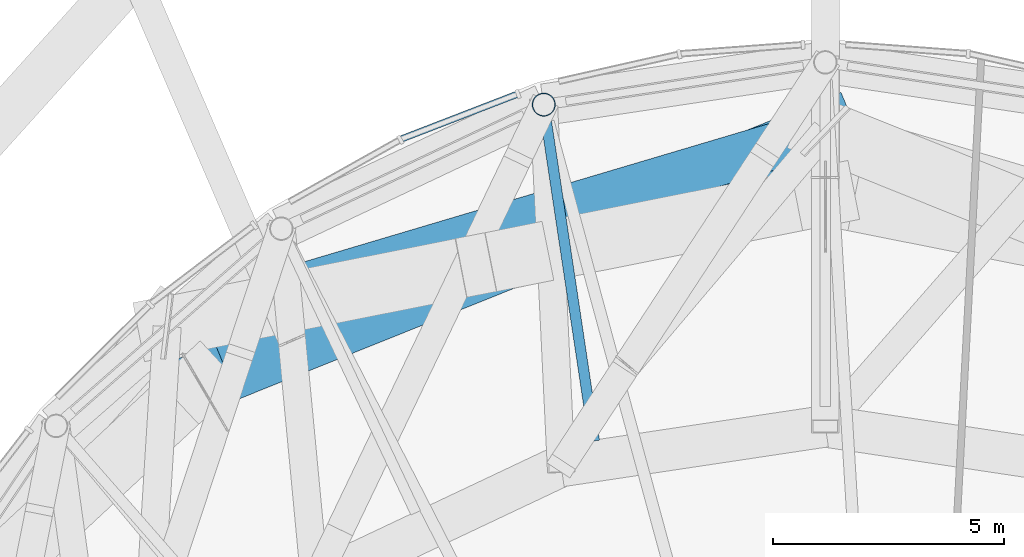
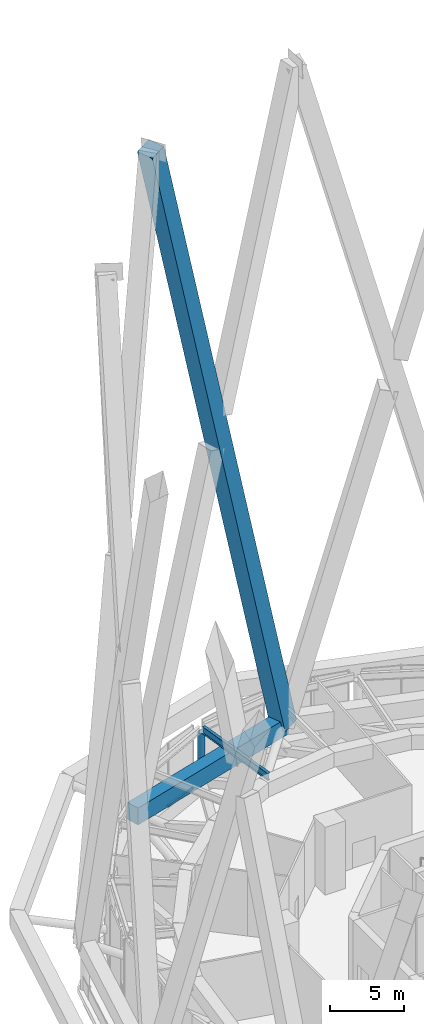
# One storey, part 23 of 48: 4 members, 1 beam, 1 element without a shape of its own.
"""IFC4 building model written with IfcOpenShell, lengths in metres."""

import ifcopenshell
import ifcopenshell.guid

model = None  # the IFC model being written
_history = None  # IfcOwnerHistory: only IFC2X3 demands one
_inside = {}  # id of a spatial element -> (the spatial element, [elements in it])
_under = {}  # id of a project, library or spatial element -> (it, [spatial elements below it])
_declared = {}  # id of a project -> (the project, [libraries it declares])
_typed = {}  # id of a type object -> (the type object, [elements of that type])
_made_of = {}  # id of a material, layer set ... -> (it, [elements and type objects made of it])


def new_model(schema):
    """Start an empty IFC model of exactly this schema.

    Asked for "IFC4X3", IfcOpenShell would pick the latest addendum, in which some entities
    have other attributes; the version numbers below select the first issue.
    IFC2X3 requires an IfcOwnerHistory on every rooted entity: one is made here for all.
    """
    global model, _history
    if schema == "IFC4X3":
        model = ifcopenshell.file(schema_version=(4, 3, 0, 0))
    else:
        model = ifcopenshell.file(schema=schema)
    _inside.clear()
    _under.clear()
    _declared.clear()
    _typed.clear()
    _made_of.clear()
    _history = None
    if model.schema == "IFC2X3":
        org = make("IfcOrganization", Name="unknown")
        user = make(
            "IfcPersonAndOrganization",
            ThePerson=make("IfcPerson", FamilyName="unknown"),
            TheOrganization=org,
        )
        app = make(
            "IfcApplication",
            ApplicationDeveloper=org,
            Version="unknown",
            ApplicationFullName="unknown",
            ApplicationIdentifier="unknown",
        )
        _history = make(
            "IfcOwnerHistory",
            OwningUser=user,
            OwningApplication=app,
            ChangeAction="ADDED",
            CreationDate=0,
        )
    return model


def make(cls, **values):
    """One entity of the class cls with the attributes given. An attribute that is None is left unset."""
    return model.create_entity(
        cls, **{name: value for name, value in values.items() if value is not None}
    )


def rooted(cls, **values):
    """An entity with a GlobalId (a new one), such as an element, a storey or a relation."""
    return make(cls, GlobalId=ifcopenshell.guid.new(), OwnerHistory=_history, **values)


def si_unit(unit_type, name, prefix=None):
    """IfcSIUnit, for example si_unit("LENGTHUNIT", "METRE", prefix="MILLI")."""
    return make("IfcSIUnit", UnitType=unit_type, Prefix=prefix, Name=name)


def assignment(units):
    """IfcUnitAssignment: the units of a project."""
    return None if units is None else make("IfcUnitAssignment", Units=units)


def point(xyz):
    """IfcCartesianPoint."""
    return None if xyz is None else make("IfcCartesianPoint", Coordinates=xyz)


def direction(xyz):
    """IfcDirection."""
    return None if xyz is None else make("IfcDirection", DirectionRatios=xyz)


def frame(location, z_axis=None, x_axis=None):
    """IfcAxis2Placement3D, a coordinate frame: its origin and axes. An axis left out is left unset."""
    return make(
        "IfcAxis2Placement3D",
        Location=point(location),
        Axis=direction(z_axis),
        RefDirection=direction(x_axis),
    )


def frame_2d(location, x_axis=None):
    """IfcAxis2Placement2D, a coordinate frame in the plane: its origin and x axis."""
    return make(
        "IfcAxis2Placement2D", Location=point(location), RefDirection=direction(x_axis)
    )


def origin():
    """The frame at (0, 0, 0) with its axes left unset."""
    return frame((0.0, 0.0, 0.0))


def origin_2d():
    """The frame at (0, 0) in the plane with its x axis left unset."""
    return frame_2d((0.0, 0.0))


def place(relative_to, where):
    """IfcLocalPlacement: puts the frame where relative to a parent placement (None: the world)."""
    return make(
        "IfcLocalPlacement", PlacementRelTo=relative_to, RelativePlacement=where
    )


def context(
    kind, dimensions, precision=None, world=None, true_north=None, identifier=None
):
    """IfcGeometricRepresentationContext, for example the 3D "Model" context."""
    return make(
        "IfcGeometricRepresentationContext",
        ContextIdentifier=identifier,
        ContextType=kind,
        CoordinateSpaceDimension=dimensions,
        Precision=precision,
        WorldCoordinateSystem=world,
        TrueNorth=true_north,
    )


def subcontext(parent, identifier, kind, view, scale=None):
    """IfcGeometricRepresentationSubContext, for example "Body" below "Model"."""
    return make(
        "IfcGeometricRepresentationSubContext",
        ContextIdentifier=identifier,
        ContextType=kind,
        ParentContext=parent,
        TargetScale=scale,
        TargetView=view,
    )


def project(units=None, contexts=None):
    """IfcProject with its units and contexts."""
    return rooted(
        "IfcProject",
        Name="project",
        RepresentationContexts=contexts,
        UnitsInContext=assignment(units),
    )


def spatial(cls, under=None, at=None, **own):
    """A site, building, storey or space (cls), placed at a placement, below another one or the project."""
    s = rooted(cls, ObjectPlacement=at, **own)
    if under is not None:
        _under.setdefault(under.id(), (under, []))[1].append(s)
    return s


def profile(cls, at=None, kind="AREA", **sizes):
    """A parametric profile (cls). Its sizes go by their IFC names, for example OverallWidth=200.0."""
    return make(cls, ProfileType=kind, Position=at, **sizes)


def rectangle(**sizes):
    """IfcRectangleProfileDef."""
    return profile("IfcRectangleProfileDef", **sizes)


def hollow_circle(**sizes):
    """IfcCircleHollowProfileDef."""
    return profile("IfcCircleHollowProfileDef", **sizes)


def i_section(**sizes):
    """IfcIShapeProfileDef."""
    return profile("IfcIShapeProfileDef", **sizes)


def extrude(swept, where, along, depth):
    """IfcExtrudedAreaSolid: the profile swept, set in the frame where, extruded along a direction by depth."""
    return make(
        "IfcExtrudedAreaSolid",
        SweptArea=swept,
        Position=where,
        ExtrudedDirection=direction(along),
        Depth=depth,
    )


def shape(context_of_items, identifier, shape_type, items):
    """IfcShapeRepresentation: the items that make up one representation, for example the "Body"."""
    return make(
        "IfcShapeRepresentation",
        ContextOfItems=context_of_items,
        RepresentationIdentifier=identifier,
        RepresentationType=shape_type,
        Items=items,
    )


def material(Name=None, Category=None):
    """IfcMaterial."""
    return make("IfcMaterial", Name=Name, Category=Category)


def layer(
    of_material, thickness, ventilated=None, Name=None, Category=None, Priority=None
):
    """IfcMaterialLayer: one layer of a wall or slab, of a material (None: an air gap)."""
    return make(
        "IfcMaterialLayer",
        Material=of_material,
        LayerThickness=thickness,
        IsVentilated=ventilated,
        Name=Name,
        Category=Category,
        Priority=Priority,
    )


def layer_set(layers, Name=None):
    """IfcMaterialLayerSet."""
    return make("IfcMaterialLayerSet", MaterialLayers=layers, LayerSetName=Name)


def material_profile(
    of_material, cross_section, Name=None, Category=None, Priority=None
):
    """IfcMaterialProfile: a cross section and its material."""
    return make(
        "IfcMaterialProfile",
        Name=Name,
        Material=of_material,
        Profile=cross_section,
        Priority=Priority,
        Category=Category,
    )


def profile_set(profiles, Name=None, composite=None):
    """IfcMaterialProfileSet."""
    return make(
        "IfcMaterialProfileSet",
        Name=Name,
        MaterialProfiles=profiles,
        CompositeProfile=composite,
    )


def made_of(thing, what):
    """Note that an element or type object is made of a material, layer set ...; save() writes the relation."""
    if what is not None:
        _made_of.setdefault(what.id(), (what, []))[1].append(thing)
    return thing


def type_object(cls, material=None, **own):
    """A type object (cls), such as IfcWallType, which elements share."""
    return made_of(rooted(cls, **own), material)


def element(
    cls,
    number,
    at=None,
    inside=None,
    cuts=None,
    type_object=None,
    material=None,
    context=None,
    identifier="Body",
    shape_type=None,
    held_by="IfcProductDefinitionShape",
    body=None,
    shapes=None,
    **own,
):
    """One element of the class cls, such as IfcWall. Its Tag is "e" and its number.

    at: its placement. inside: the storey or other place that contains it. cuts: it is an
    opening in that element (IfcRelVoidsElement). A single representation is given by context,
    identifier, shape_type and body (its items); several are given by shapes. held_by: the class
    of the entity that holds the representations. save() writes the other relations.
    """
    e = rooted(cls, Tag="e%d" % number, ObjectPlacement=at, **own)
    if body is not None:
        shapes = [shape(context, identifier, shape_type, body)]
    if shapes is not None:
        e.Representation = make(held_by, Representations=shapes)
    if inside is not None:
        _inside.setdefault(inside.id(), (inside, []))[1].append(e)
    if cuts is not None:
        rooted(
            "IfcRelVoidsElement", RelatingBuildingElement=cuts, RelatedOpeningElement=e
        )
    if type_object is not None:
        _typed.setdefault(type_object.id(), (type_object, []))[1].append(e)
    return made_of(e, material)


def aggregate(whole, parts):
    """IfcRelAggregates: a whole, such as a stair, and the parts it consists of."""
    return rooted("IfcRelAggregates", RelatingObject=whole, RelatedObjects=parts)


def save(model, path):
    """Write the relations noted so far, then the file.

    IfcRelAggregates (storeys below a building ...), IfcRelContainedInSpatialStructure (elements
    in a storey), IfcRelDefinesByType, IfcRelAssociatesMaterial and IfcRelDeclares: one each for
    every whole, place, type object, material and project.
    """
    for whole, parts in _under.values():
        aggregate(whole, parts)
    for where, things in _inside.values():
        rooted(
            "IfcRelContainedInSpatialStructure",
            RelatedElements=things,
            RelatingStructure=where,
        )
    for kind, things in _typed.values():
        rooted("IfcRelDefinesByType", RelatedObjects=things, RelatingType=kind)
    for what, things in _made_of.values():
        rooted("IfcRelAssociatesMaterial", RelatedObjects=things, RelatingMaterial=what)
    for by, libraries in _declared.values():
        rooted("IfcRelDeclares", RelatingContext=by, RelatedDefinitions=libraries)
    model.write(path)


model = new_model("IFC4")

# Units and contexts
model_context = context("Model", 3, precision=1e-05, world=origin(), true_north=direction((0.0, 1.0)))
body_context = subcontext(model_context, "Body", "Model", "MODEL_VIEW")
ifc_project = project(units=[si_unit("LENGTHUNIT", "METRE"), si_unit("AREAUNIT", "SQUARE_METRE"), si_unit("VOLUMEUNIT", "CUBIC_METRE"), si_unit("PLANEANGLEUNIT", "RADIAN"), si_unit("MASSUNIT", "GRAM", prefix="KILO")], contexts=[model_context])

# Site, building, storey
site_placement = place(None, origin())
site = spatial("IfcSite", under=ifc_project, at=site_placement, CompositionType="ELEMENT")
building_placement = place(site_placement, origin())
building = spatial("IfcBuilding", under=site, at=building_placement, Name="Nagisa Residences", CompositionType="ELEMENT")
storey_placement = place(building_placement, frame((0.0, 0.0, 252.89990234375)))
storey = spatial("IfcBuildingStorey", under=building, at=storey_placement, Name="L64", CompositionType="ELEMENT", Elevation=252.89990234375)

# Curtain wall, member
ifc_material_1 = material(Name="Aluminium curtain wall system", Category="aluminium")
ifc_layer = layer(ifc_material_1, 0.159912109375)
ifc_layer_set = layer_set([ifc_layer], Name="CW2 CURTAIN WALL")
curtain_wall_type = type_object("IfcCurtainWallType", Name="CW2 CURTAIN WALL", PredefinedType="NOTDEFINED", material=ifc_layer_set)
curtain_wall_placement = place(storey_placement, origin())
curtain_wall = element("IfcCurtainWall", 1, at=curtain_wall_placement, inside=storey, type_object=curtain_wall_type, Name="cw:CW2:L64:14", PredefinedType="NOTDEFINED")
ifc_material_2 = material(Name="Aluminium", Category="aluminium")
ifc_material_profile_1 = material_profile(ifc_material_2, rectangle(XDim=0.139892578125, YDim=0.179931640625, at=origin_2d()), Name="CW2 TRANSOM 140x180")
ifc_profile_set_1 = profile_set([ifc_material_profile_1], Name="Aluminium")
member_type_1 = type_object("IfcMemberType", Name="CW2 TRANSOM 140x180", PredefinedType="USERDEFINED", material=ifc_profile_set_1)
member_1_placement = place(storey_placement, frame((-8.420654296875, 29.337646484375, 0.090087890625), z_axis=(-0.932831413122, -0.360313134221, 0.0), x_axis=(0.360313134221, -0.932831413122, 0.0)))
member_1 = element("IfcMember", 2, at=member_1_placement, type_object=member_type_1, Name="CW2 transom", ObjectType="TRANSOM", PredefinedType="USERDEFINED", context=body_context, shape_type="SweptSolid", body=[
    extrude(rectangle(XDim=0.139892578125, YDim=0.179931640625, at=origin_2d()), origin(), (0.0, 0.0, 1.0), 2.746337890625),
])
aggregate(curtain_wall, [member_1])

# Members
ifc_material_3 = material(Name="Concrete C80", Category="concrete")
ifc_material_profile_2 = material_profile(ifc_material_3, rectangle(XDim=1.300048828125, YDim=1.300048828125, at=origin_2d()), Name="C80 1300x1300")
ifc_profile_set_2 = profile_set([ifc_material_profile_2], Name="Concrete C80")
member_type_2 = type_object("IfcMemberType", Name="Cage diagonal 6 C80 1300x1300", PredefinedType="BRACE", material=ifc_profile_set_2)
member_2_placement = place(storey_placement, frame((-1.800048828125, 28.522216796875, 3.7001953125), z_axis=(-0.235873952376, -0.094826068247, 0.967146056897), x_axis=(0.373005890472, -0.927828974366, 0.0)))
element("IfcMember", 3, at=member_2_placement, inside=storey, type_object=member_type_2, Name="mem:L64:cg6d007", PredefinedType="BRACE", context=body_context, shape_type="SweptSolid", body=[
    extrude(rectangle(XDim=1.300048828125, YDim=1.300048828125, at=origin_2d()), origin(), (0.0, 0.0, 1.0), 57.488525390625),
])
ifc_material_4 = material(Name="Concrete C80", Category="concrete")
ifc_material_profile_3 = material_profile(ifc_material_4, rectangle(XDim=1.0, YDim=1.39990234375, at=origin_2d()), Name="C80 1000x1400")
ifc_profile_set_3 = profile_set([ifc_material_profile_3], Name="Concrete C80")
member_type_3 = type_object("IfcMemberType", Name="Cage ring 6 C80 1000x1400", PredefinedType="CHORD", material=ifc_profile_set_3)
member_3_placement = place(storey_placement, frame((-1.800048828125, 28.522216796875, 3.7001953125), z_axis=(-0.958549076589, -0.28492747809, 0.0), x_axis=(0.28492747809, -0.958549076589, 0.0)))
element("IfcMember", 4, at=member_3_placement, inside=storey, type_object=member_type_3, Name="beam:L64:cg6r004", PredefinedType="CHORD", context=body_context, shape_type="SweptSolid", body=[
    extrude(rectangle(XDim=1.0, YDim=1.39990234375, at=origin_2d()), origin(), (0.0, 0.0, 1.0), 14.876708984375),
])
ifc_material_5 = material(Name="Steel ASTM A572 Gr 65", Category="steel")
ifc_material_profile_4 = material_profile(ifc_material_5, hollow_circle(Radius=0.25390625, WallThickness=0.02001953125, at=origin_2d()), Name="CHS 508x20")
ifc_profile_set_4 = profile_set([ifc_material_profile_4], Name="Steel ASTM A572 Gr 65")
member_type_4 = type_object("IfcMemberType", Name="Garden edge post CHS 508x20", PredefinedType="POST", material=ifc_profile_set_4)
member_4_placement = place(storey_placement, frame((-7.900390625, 29.091552734375, 1.2001953125), z_axis=(0.0, 0.0, 1.0), x_axis=(1.0, 0.0, 0.0)))
element("IfcMember", 5, at=member_4_placement, inside=storey, type_object=member_type_4, Name="mem:L64:gp508", PredefinedType="POST", context=body_context, shape_type="SweptSolid", body=[
    extrude(hollow_circle(Radius=0.25390625, WallThickness=0.02001953125, at=origin_2d()), origin(), (0.0, 0.0, 1.0), 3.536865234375),
])

# Beam
ifc_material_6 = material(Name="Steel ASTM A572 Gr 50", Category="steel")
ifc_material_profile_5 = material_profile(ifc_material_6, i_section(OverallWidth=0.22802734375, OverallDepth=0.60302734375, WebThickness=0.010498046875, FlangeThickness=0.014892578125, at=origin_2d()), Name="W610x101")
ifc_profile_set_5 = profile_set([ifc_material_profile_5], Name="Steel ASTM A572 Gr 50")
beam_type = type_object("IfcBeamType", Name="Garden radial beam W610x101", PredefinedType="BEAM", material=ifc_profile_set_5)
beam_placement = place(storey_placement, frame((-7.86572265625, 28.860107421875, 5.03857421875), z_axis=(0.14855632211, -0.9889039484, 0.0), x_axis=(0.9889039484, 0.14855632211, 0.0)))
element("IfcBeam", 6, at=beam_placement, inside=storey, type_object=beam_type, Name="beam:L64:bt5gr08", PredefinedType="BEAM", context=body_context, shape_type="SweptSolid", body=[
    extrude(i_section(OverallWidth=0.22802734375, OverallDepth=0.60302734375, WebThickness=0.010498046875, FlangeThickness=0.014892578125, at=origin_2d()), origin(), (0.0, 0.0, 1.0), 7.134033203125),
])

save(model, "model.ifc")
